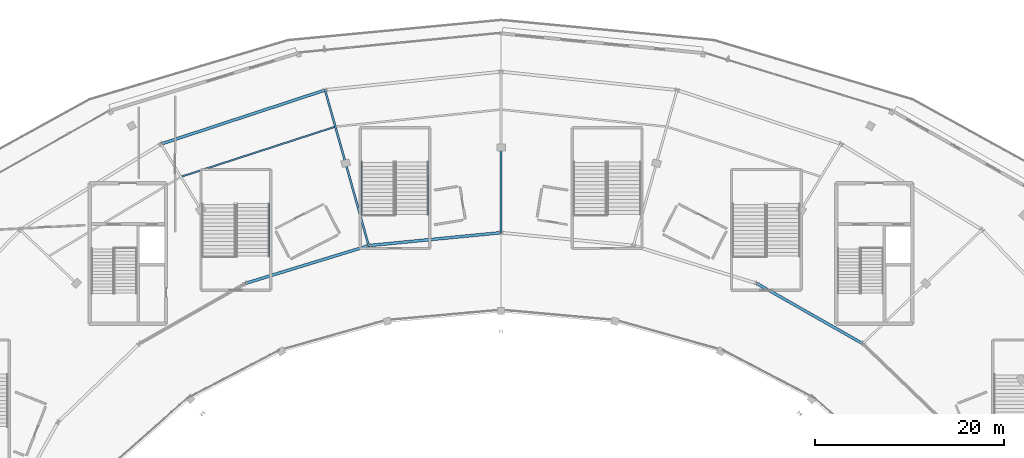
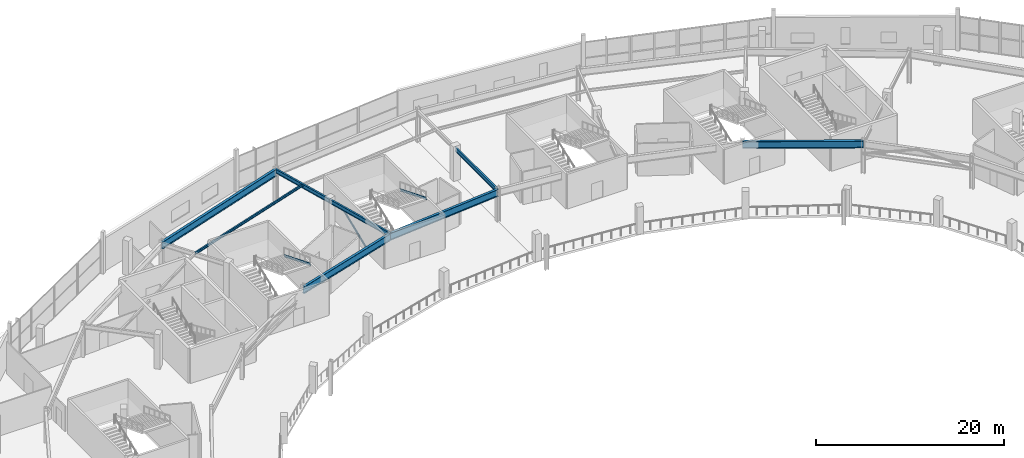
# One storey, part 49 of 123: 8 beams, 3 members.
"""IFC4 building model written with IfcOpenShell, lengths in metres."""

from ifc_helpers import new_model, si_unit, direction, frame, origin, origin_2d, place, context, subcontext, project, spatial, i_section, extrude, material, material_profile, profile_set, type_object, element, save


model = new_model("IFC4")

# Units and contexts
model_context = context("Model", 3, precision=1e-05, world=origin(), true_north=direction((0.0, 1.0)))
body_context = subcontext(model_context, "Body", "Model", "MODEL_VIEW")
ifc_project = project(units=[si_unit("LENGTHUNIT", "METRE"), si_unit("AREAUNIT", "SQUARE_METRE"), si_unit("VOLUMEUNIT", "CUBIC_METRE"), si_unit("PLANEANGLEUNIT", "RADIAN"), si_unit("MASSUNIT", "GRAM", prefix="KILO")], contexts=[model_context])

# Site, building, storey
site_placement = place(None, origin())
site = spatial("IfcSite", under=ifc_project, at=site_placement, CompositionType="ELEMENT")
building_placement = place(site_placement, origin())
building = spatial("IfcBuilding", under=site, at=building_placement, Name="Kalgoora Escarpment Arena", CompositionType="ELEMENT")
storey_placement = place(building_placement, frame((0.0, 0.0, 9.89990234375)))
storey = spatial("IfcBuildingStorey", under=building, at=storey_placement, Name="L02", CompositionType="ELEMENT", Elevation=9.89990234375)

# Beams
ifc_material_1 = material(Name="Structural steel AS/NZS 3679 (300 MPa)", Category="steel")
ifc_material_profile_1 = material_profile(ifc_material_1, i_section(OverallWidth=0.166015625, OverallDepth=0.306884765625, WebThickness=0.006591796875, FlangeThickness=0.01171875, at=origin_2d()))
ifc_profile_set_1 = profile_set([ifc_material_profile_1], Name="Structural steel AS/NZS 3679 (300 MPa)")
beam_type_1 = type_object("IfcBeamType", Name="BM-BEAM-310UB46.2", PredefinedType="BEAM", material=ifc_profile_set_1)
beam_1_placement = place(storey_placement, frame((74.90380859375, 115.194091796875, 4.03662109375), z_axis=(-0.951103123122, -0.308873516489, 0.0), x_axis=(0.308873516489, -0.951103123122, 0.0)))
element("IfcBeam", 1, at=beam_1_placement, inside=storey, type_object=beam_type_1, Name="L02 Concourse secondary ring beam 310UB46.2", PredefinedType="BEAM", context=body_context, shape_type="SweptSolid", body=[
    extrude(i_section(OverallWidth=0.166015625, OverallDepth=0.306884765625, WebThickness=0.006591796875, FlangeThickness=0.01171875, at=origin_2d()), origin(), (0.0, 0.0, 1.0), 17.141845703125),
])
ifc_material_2 = material(Name="Structural steel AS/NZS 3679 (300 MPa)", Category="steel")
ifc_material_profile_2 = material_profile(ifc_material_2, i_section(OverallWidth=0.208984375, OverallDepth=0.528076171875, WebThickness=0.009521484375, FlangeThickness=0.01318359375, at=origin_2d()))
ifc_profile_set_2 = profile_set([ifc_material_profile_2], Name="Structural steel AS/NZS 3679 (300 MPa)")
beam_type_2 = type_object("IfcBeamType", Name="BM-GIRDER-530UB82.0", PredefinedType="USERDEFINED", material=ifc_profile_set_2)
beam_2_placement = place(storey_placement, frame((92.39990234375, 104.0, 3.926025390625), z_axis=(0.0, 1.0, 0.0), x_axis=(-1.0, 0.0, 0.0)))
element("IfcBeam", 2, at=beam_2_placement, inside=storey, type_object=beam_type_2, Name="L02 Radial concourse girder 530UB82.0", ObjectType="GIRDER", PredefinedType="USERDEFINED", context=body_context, shape_type="SweptSolid", body=[
    extrude(i_section(OverallWidth=0.208984375, OverallDepth=0.528076171875, WebThickness=0.009521484375, FlangeThickness=0.01318359375, at=origin_2d()), origin(), (0.0, 0.0, 1.0), 9.0),
])
beam_3_placement = place(storey_placement, frame((78.423828125, 102.636962890625, 3.926025390625), z_axis=(-0.269498512386, 0.963000805722, 0.0), x_axis=(-0.963000805722, -0.269498512386, 0.0)))
element("IfcBeam", 3, at=beam_3_placement, inside=storey, type_object=beam_type_2, Name="L02 Radial concourse girder 530UB82.0", ObjectType="GIRDER", PredefinedType="USERDEFINED", context=body_context, shape_type="SweptSolid", body=[
    extrude(i_section(OverallWidth=0.208984375, OverallDepth=0.528076171875, WebThickness=0.009521484375, FlangeThickness=0.01318359375, at=origin_2d()), origin(), (0.0, 0.0, 1.0), 9.02734375),
])
beam_4_placement = place(storey_placement, frame((75.990966796875, 111.330322265625, 3.926025390625), z_axis=(-0.27082660355, 0.962628147734, 0.0), x_axis=(-0.962628147734, -0.27082660355, 0.0)))
element("IfcBeam", 4, at=beam_4_placement, inside=storey, type_object=beam_type_2, Name="L02 Radial concourse girder 530UB82.0", ObjectType="GIRDER", PredefinedType="USERDEFINED", context=body_context, shape_type="SweptSolid", body=[
    extrude(i_section(OverallWidth=0.208984375, OverallDepth=0.528076171875, WebThickness=0.009521484375, FlangeThickness=0.01318359375, at=origin_2d()), origin(), (0.0, 0.0, 1.0), 8.027587890625),
])
ifc_material_3 = material(Name="Structural steel Grade 350 (350 MPa)", Category="steel")
ifc_material_profile_3 = material_profile(ifc_material_3, i_section(OverallWidth=0.300048828125, OverallDepth=0.909912109375, WebThickness=0.011962890625, FlangeThickness=0.028076171875, at=origin_2d()))
ifc_profile_set_3 = profile_set([ifc_material_profile_3], Name="Structural steel Grade 350 (350 MPa)")
beam_type_3 = type_object("IfcBeamType", Name="BM-GIRDER-900WB218", PredefinedType="USERDEFINED", material=ifc_profile_set_3)
beam_5_placement = place(storey_placement, frame((130.583740234375, 92.2841796875, 3.7451171875), z_axis=(-0.869373733104, 0.494155149917, 0.0), x_axis=(-0.494155149917, -0.869373733104, 0.0)))
element("IfcBeam", 5, at=beam_5_placement, inside=storey, type_object=beam_type_3, Name="L02 Circumferential concourse girder RMAIN 900WB218", ObjectType="GIRDER", PredefinedType="USERDEFINED", context=body_context, shape_type="SweptSolid", body=[
    extrude(i_section(OverallWidth=0.300048828125, OverallDepth=0.909912109375, WebThickness=0.011962890625, FlangeThickness=0.028076171875, at=origin_2d()), origin(), (0.0, 0.0, 1.0), 12.8642578125),
])
beam_6_placement = place(storey_placement, frame((92.39990234375, 104.0, 3.735107421875), z_axis=(-0.995277952766, -0.097065940158, 0.0), x_axis=(0.097065940158, -0.995277952766, 0.0)))
element("IfcBeam", 6, at=beam_6_placement, inside=storey, type_object=beam_type_3, Name="L02 Circumferential concourse girder RMAIN 900WB218", ObjectType="GIRDER", PredefinedType="USERDEFINED", context=body_context, shape_type="SweptSolid", body=[
    extrude(i_section(OverallWidth=0.300048828125, OverallDepth=0.909912109375, WebThickness=0.011962890625, FlangeThickness=0.028076171875, at=origin_2d()), origin(), (0.0, 0.0, 1.0), 14.04248046875),
])
beam_7_placement = place(storey_placement, frame((78.423828125, 102.636962890625, 3.735107421875), z_axis=(-0.956016223512, -0.293313791666, 0.0), x_axis=(0.293313791666, -0.956016223512, 0.0)))
element("IfcBeam", 7, at=beam_7_placement, inside=storey, type_object=beam_type_3, Name="L02 Circumferential concourse girder RMAIN 900WB218", ObjectType="GIRDER", PredefinedType="USERDEFINED", context=body_context, shape_type="SweptSolid", body=[
    extrude(i_section(OverallWidth=0.300048828125, OverallDepth=0.909912109375, WebThickness=0.011962890625, FlangeThickness=0.028076171875, at=origin_2d()), origin(), (0.0, 0.0, 1.0), 13.623046875),
])
ifc_material_4 = material(Name="Structural steel Grade 350 (350 MPa)", Category="steel")
ifc_material_profile_4 = material_profile(ifc_material_4, i_section(OverallWidth=0.300048828125, OverallDepth=0.909912109375, WebThickness=0.011962890625, FlangeThickness=0.028076171875, at=origin_2d()))
ifc_profile_set_4 = profile_set([ifc_material_profile_4], Name="Structural steel Grade 350 (350 MPa)")
beam_type_4 = type_object("IfcBeamType", Name="BM-SPANDREL-900WB218", PredefinedType="SPANDREL", material=ifc_profile_set_4)
beam_8_placement = place(storey_placement, frame((73.81689453125, 119.057861328125, 3.735107421875), z_axis=(-0.949954555117, -0.312388129115, 0.0), x_axis=(0.312388129115, -0.949954555117, 0.0)))
element("IfcBeam", 8, at=beam_8_placement, inside=storey, type_object=beam_type_4, Name="L02 Circumferential concourse girder RCONC2 900WB218", PredefinedType="SPANDREL", context=body_context, shape_type="SweptSolid", body=[
    extrude(i_section(OverallWidth=0.300048828125, OverallDepth=0.909912109375, WebThickness=0.011962890625, FlangeThickness=0.028076171875, at=origin_2d()), origin(), (0.0, 0.0, 1.0), 18.229248046875),
])

# Members
ifc_material_5 = material(Name="Structural steel AS/NZS 3679 (300 MPa)", Category="steel")
ifc_material_profile_5 = material_profile(ifc_material_5, i_section(OverallWidth=0.090087890625, OverallDepth=0.300048828125, WebThickness=0.008056640625, FlangeThickness=0.01611328125, at=origin_2d()))
ifc_profile_set_5 = profile_set([ifc_material_profile_5], Name="Structural steel AS/NZS 3679 (300 MPa)")
member_type = type_object("IfcMemberType", Name="MEM-STRINGER-PFC", PredefinedType="STRINGER", material=ifc_profile_set_5)
for number, where, z_axis, x_axis, name in (
    (9, (67.929931640625, 107.050048828125, 2.210205078125), (0.0, -0.926975796404, 0.375121144273), (1.0, 0.0, 0.0), "ST09 L02 steel stair stringer 2"),
    (10, (77.669921875, 105.889892578125, -0.039794921875), (0.0, 0.926975796404, 0.375121144273), (-1.0, 0.0, 0.0), "ST10 L02 steel stair stringer 1"),
    (11, (84.72998046875, 111.449951171875, 2.210205078125), (0.0, -0.926975796404, 0.375121144273), (1.0, 0.0, 0.0), "ST10 L02 steel stair stringer 2"),
):
    element("IfcMember", number, at=place(storey_placement, frame(where, z_axis=z_axis, x_axis=x_axis)), inside=storey, type_object=member_type, Name=name, PredefinedType="STRINGER", context=body_context, shape_type="SweptSolid", body=[
        extrude(i_section(OverallWidth=0.090087890625, OverallDepth=0.300048828125, WebThickness=0.008056640625, FlangeThickness=0.01611328125, at=origin_2d()), origin(), (0.0, 0.0, 1.0), 5.998046875),
    ])

save(model, "model.ifc")
